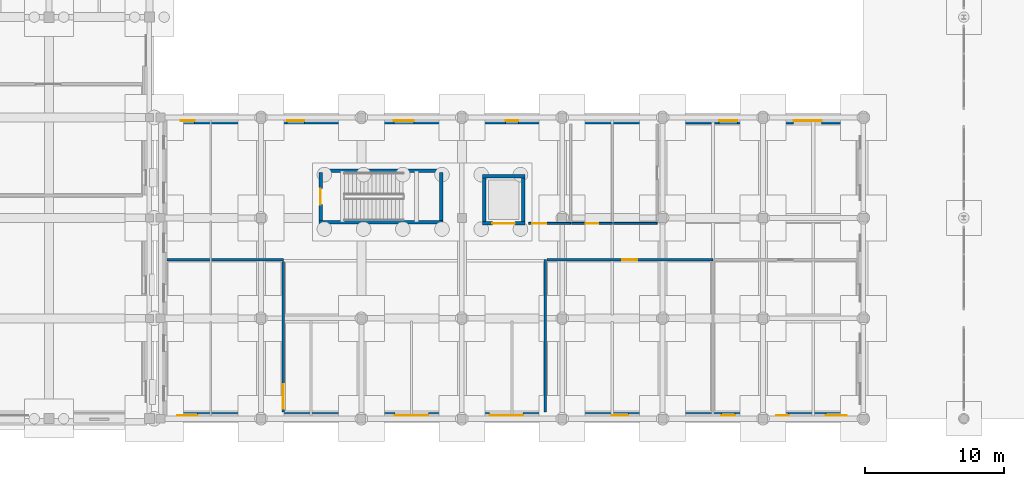
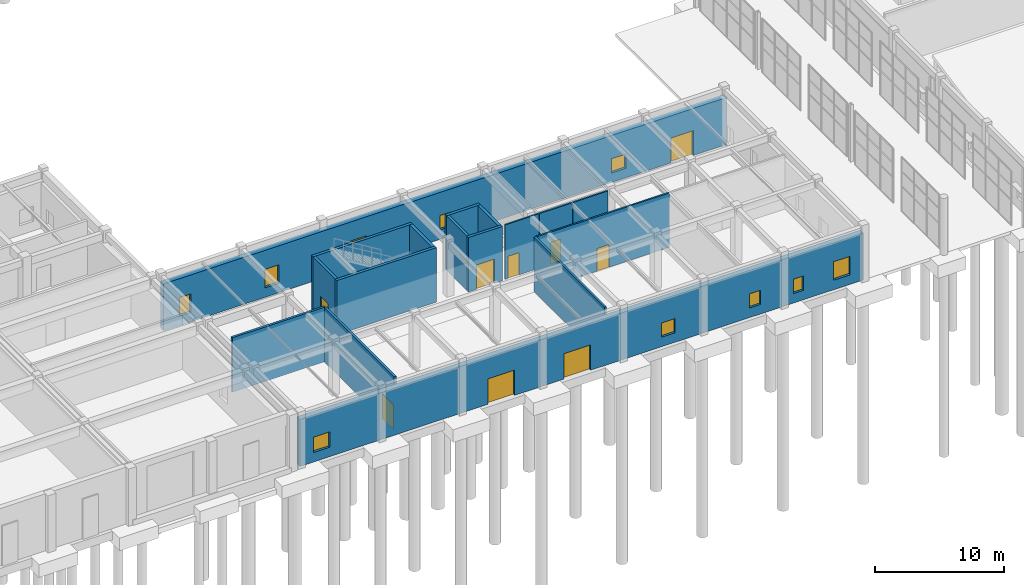
# One storey, part 69 of 91: 17 walls, 10 windows, 9 doors, 19 openings.
"""IFC4 building model written with IfcOpenShell, lengths in metres."""

from ifc_helpers import new_model, si_unit, direction, frame, frame_2d, origin, place, context, subcontext, project, spatial, rectangle, extrude, material, layer, layer_set, type_object, element, fill, save


model = new_model("IFC4")

# Units and contexts
model_context = context("Model", 3, precision=1e-05, world=origin(), true_north=direction((0.0, 1.0)))
body_context = subcontext(model_context, "Body", "Model", "MODEL_VIEW")
ifc_project = project(units=[si_unit("LENGTHUNIT", "METRE"), si_unit("AREAUNIT", "SQUARE_METRE"), si_unit("VOLUMEUNIT", "CUBIC_METRE"), si_unit("PLANEANGLEUNIT", "RADIAN"), si_unit("MASSUNIT", "GRAM", prefix="KILO")], contexts=[model_context])

# Site, building, storey
site_placement = place(None, origin())
site = spatial("IfcSite", under=ifc_project, at=site_placement, CompositionType="ELEMENT")
building_placement = place(site_placement, origin())
building = spatial("IfcBuilding", under=site, at=building_placement, Name="Bramveld Media Centre", CompositionType="ELEMENT")
storey_placement = place(building_placement, origin())
storey = spatial("IfcBuildingStorey", under=building, at=storey_placement, Name="L00", CompositionType="ELEMENT", Elevation=0.0)

# Walls
ifc_material_1 = material(Name="Concrete C40/50 stair & lift core wall", Category="concrete")
ifc_layer_1 = layer(ifc_material_1, 0.25)
ifc_layer_set_1 = layer_set([ifc_layer_1], Name="Concrete C40/50 stair & lift core wall")
wall_type_1 = type_object("IfcWallType", Name="CWALL-SHEAR-250", PredefinedType="SHEAR", material=ifc_layer_set_1)
for number, where, z_axis, x_axis, name in (
    (1, (69.75, 14.074951171875, 0.0), (0.0, 0.0, 1.0), (1.0, 0.0, 0.0), "ST-06 L00 stair core shear wall S"),
    (2, (78.64990234375, 17.77490234375, 0.0), (0.0, 0.0, 1.0), (-1.0, 0.0, 0.0), "ST-06 L00 stair core shear wall N"),
):
    element("IfcWall", number, at=place(storey_placement, frame(where, z_axis=z_axis, x_axis=x_axis)), inside=storey, type_object=wall_type_1, Name=name, PredefinedType="SHEAR", context=body_context, shape_type="SweptSolid", body=[
        extrude(rectangle(XDim=8.89990234375, YDim=0.25, at=frame_2d((4.449951171875, 0.0))), origin(), (0.0, 0.0, 1.0), 5.14990234375),
    ])

# Wall, opening, door
wall_1_placement = place(storey_placement, frame((69.875, 17.64990234375, 0.0), z_axis=(0.0, 0.0, 1.0), x_axis=(0.0, -1.0, 0.0)))
wall_1 = element("IfcWall", 3, at=wall_1_placement, inside=storey, type_object=wall_type_1, Name="ST-06 L00 stair core shear wall W", PredefinedType="SHEAR", context=body_context, shape_type="SweptSolid", body=[
    extrude(rectangle(XDim=3.449951171875, YDim=0.25, at=frame_2d((1.72509765625, 0.0))), origin(), (0.0, 0.0, 1.0), 5.14990234375),
])
opening_1_placement = place(wall_1_placement, frame((1.14990234375, 0.0, 0.0)))
opening_1 = element("IfcOpeningElement", 4, at=opening_1_placement, cuts=wall_1, Name="Opening SD-06-L00", PredefinedType="OPENING", context=body_context, shape_type="SweptSolid", body=[
    extrude(rectangle(XDim=1.14990234375, YDim=2.14990234375, at=frame_2d((0.574951171875, 1.074951171875))), frame((0.0, 0.136962890625, 0.0), z_axis=(0.0, -1.0, 0.0), x_axis=(1.0, 0.0, 0.0)), (0.0, 0.0, 1.0), 0.27392578125),
])
ifc_material_2 = material(Name="Painted galvanized steel acoustic fire door with intumescent smoke seals", Category="steel")
door_type_1 = type_object("IfcDoorType", Name="DR-ST-1150", OperationType="NOTDEFINED", PredefinedType="DOOR", material=ifc_material_2)
door_1_placement = place(opening_1_placement, origin())
door_1 = element("IfcDoor", 5, at=door_1_placement, inside=storey, type_object=door_type_1, Name="ST-06 L00 pressurized stair fire door", OperationType="SINGLE_SWING_RIGHT", OverallHeight=2.14990234375, OverallWidth=1.14990234375, PredefinedType="DOOR", context=body_context, shape_type="SweptSolid", body=[
    extrude(rectangle(XDim=1.14990234375, YDim=2.14990234375, at=frame_2d((0.574951171875, 1.074951171875))), frame((0.0, 0.02490234375, 0.0), z_axis=(0.0, -1.0, 0.0), x_axis=(1.0, 0.0, 0.0)), (0.0, 0.0, 1.0), 0.050048828125),
])
fill(opening_1, door_1)

# Wall
wall_2_placement = place(storey_placement, frame((78.52490234375, 14.199951171875, 0.0), z_axis=(0.0, 0.0, 1.0), x_axis=(0.0, 1.0, 0.0)))
element("IfcWall", 6, at=wall_2_placement, inside=storey, type_object=wall_type_1, Name="ST-06 L00 stair core shear wall E", PredefinedType="SHEAR", context=body_context, shape_type="SweptSolid", body=[
    extrude(rectangle(XDim=3.449951171875, YDim=0.25, at=frame_2d((1.72509765625, 0.0))), origin(), (0.0, 0.0, 1.0), 5.14990234375),
])

# Wall, opening, door
wall_3_placement = place(storey_placement, frame((81.47509765625, 14.0, 0.0), z_axis=(0.0, 0.0, 1.0), x_axis=(1.0, 0.0, 0.0)))
wall_3 = element("IfcWall", 7, at=wall_3_placement, inside=storey, type_object=wall_type_1, Name="GL-01 L00 lift shaft wall S", PredefinedType="SHEAR", context=body_context, shape_type="SweptSolid", body=[
    extrude(rectangle(XDim=3.0498046875, YDim=0.25, at=frame_2d((1.52490234375, 0.0))), origin(), (0.0, 0.0, 1.0), 5.14990234375),
])
opening_2_placement = place(wall_3_placement, frame((0.72509765625, 0.0, 0.0)))
opening_2 = element("IfcOpeningElement", 8, at=opening_2_placement, cuts=wall_3, Name="Opening LD-04-01-L00", PredefinedType="OPENING", context=body_context, shape_type="SweptSolid", body=[
    extrude(rectangle(XDim=1.60009765625, YDim=2.300048828125, at=frame_2d((0.800048828125, 1.14990234375))), frame((0.0, 0.136962890625, 0.0), z_axis=(0.0, -1.0, 0.0), x_axis=(1.0, 0.0, 0.0)), (0.0, 0.0, 1.0), 0.27392578125),
])
ifc_material_3 = material(Name="Brushed stainless steel automatic fire-rated sliding lift landing door", Category="steel")
door_type_2 = type_object("IfcDoorType", Name="LD-TYPE-04", OperationType="DOUBLE_DOOR_SLIDING", PredefinedType="DOOR", material=ifc_material_3)
door_2_placement = place(opening_2_placement, origin())
door_2 = element("IfcDoor", 9, at=door_2_placement, inside=storey, type_object=door_type_2, Name="GL-01 L00 sliding lift landing door", OperationType="DOUBLE_DOOR_SLIDING", OverallHeight=2.300048828125, OverallWidth=1.60009765625, PredefinedType="DOOR", context=body_context, shape_type="SweptSolid", body=[
    extrude(rectangle(XDim=1.60009765625, YDim=2.300048828125, at=frame_2d((0.800048828125, 1.14990234375))), frame((0.0, 0.02490234375, 0.0), z_axis=(0.0, -1.0, 0.0), x_axis=(1.0, 0.0, 0.0)), (0.0, 0.0, 1.0), 0.050048828125),
])
fill(opening_2, door_2)

# Walls
wall_4_placement = place(storey_placement, frame((84.52490234375, 17.39990234375, 0.0), z_axis=(0.0, 0.0, 1.0), x_axis=(-1.0, 0.0, 0.0)))
element("IfcWall", 10, at=wall_4_placement, inside=storey, type_object=wall_type_1, Name="GL-01 L00 lift shaft wall N", PredefinedType="SHEAR", context=body_context, shape_type="SweptSolid", body=[
    extrude(rectangle(XDim=3.0498046875, YDim=0.25, at=frame_2d((1.52490234375, 0.0))), origin(), (0.0, 0.0, 1.0), 5.14990234375),
])
for number, where, z_axis, x_axis, name in (
    (11, (81.60009765625, 17.39990234375, 0.0), (0.0, 0.0, 1.0), (0.0, -1.0, 0.0), "GL-01 L00 lift shaft wall W"),
    (12, (84.39990234375, 14.0, 0.0), (0.0, 0.0, 1.0), (0.0, 1.0, 0.0), "GL-01 L00 lift shaft wall E"),
):
    element("IfcWall", number, at=place(storey_placement, frame(where, z_axis=z_axis, x_axis=x_axis)), inside=storey, type_object=wall_type_1, Name=name, PredefinedType="SHEAR", context=body_context, shape_type="SweptSolid", body=[
        extrude(rectangle(XDim=3.39990234375, YDim=0.25, at=frame_2d((1.699951171875, 0.0))), origin(), (0.0, 0.0, 1.0), 5.14990234375),
    ])

# Wall, openings, doors, windows
ifc_material_4 = material(Name="Flemish red-brown clay facing brick cavity wall with concrete C35/45 inner leaf", Category="masonry")
ifc_layer_2 = layer(ifc_material_4, 0.4599609375)
ifc_layer_set_2 = layer_set([ifc_layer_2], Name="Flemish red-brown clay facing brick cavity wall with concrete C35/45 inner leaf")
wall_type_2 = type_object("IfcWallType", Name="EW-BRK-460", PredefinedType="SOLIDWALL", material=ifc_layer_set_2)
wall_5_placement = place(storey_placement, frame((108.800048828125, 0.22998046875, 0.0), z_axis=(0.0, 0.0, 1.0), x_axis=(-1.0, 0.0, 0.0)))
wall_5 = element("IfcWall", 13, at=wall_5_placement, inside=storey, type_object=wall_type_2, Name="V5 L00 S facing brick exterior wall", PredefinedType="SOLIDWALL", context=body_context, shape_type="SweptSolid", body=[
    extrude(rectangle(XDim=50.400146484375, YDim=0.4599609375, at=frame_2d((25.2001953125, 0.0))), origin(), (0.0, 0.0, 1.0), 4.445068359375),
])
opening_3_placement = place(wall_5_placement, frame((31.199951171875, 0.0, 0.0)))
opening_3 = element("IfcOpeningElement", 14, at=opening_3_placement, cuts=wall_5, Name="Opening ED-01", PredefinedType="OPENING", context=body_context, shape_type="SweptSolid", body=[
    extrude(rectangle(XDim=2.39990234375, YDim=2.39990234375, at=frame_2d((1.199951171875, 1.199951171875))), frame((0.0, 0.241943359375, 0.0), z_axis=(0.0, -1.0, 0.0), x_axis=(1.0, 0.0, 0.0)), (0.0, 0.0, 1.0), 0.48388671875),
])
opening_4_placement = place(wall_5_placement, frame((24.39990234375, 0.0, 0.0)))
opening_4 = element("IfcOpeningElement", 15, at=opening_4_placement, cuts=wall_5, Name="Opening ED-02", PredefinedType="OPENING", context=body_context, shape_type="SweptSolid", body=[
    extrude(rectangle(XDim=2.39990234375, YDim=2.39990234375, at=frame_2d((1.199951171875, 1.199951171875))), frame((0.0, 0.241943359375, 0.0), z_axis=(0.0, -1.0, 0.0), x_axis=(1.0, 0.0, 0.0)), (0.0, 0.0, 1.0), 0.48388671875),
])
opening_5_placement = place(wall_5_placement, frame((1.1884765625, 0.0, 0.89990234375)))
opening_5 = element("IfcOpeningElement", 16, at=opening_5_placement, cuts=wall_5, Name="Opening W-24", PredefinedType="OPENING", context=body_context, shape_type="SweptSolid", body=[
    extrude(rectangle(XDim=1.5, YDim=1.75, at=frame_2d((0.75, 0.875))), frame((0.0, 0.241943359375, 0.0), z_axis=(0.0, -1.0, 0.0), x_axis=(1.0, 0.0, 0.0)), (0.0, 0.0, 1.0), 0.48388671875),
])
opening_6_placement = place(wall_5_placement, frame((5.365478515625, 0.0, 0.89990234375)))
opening_6 = element("IfcOpeningElement", 17, at=opening_6_placement, cuts=wall_5, Name="Opening W-01", PredefinedType="OPENING", context=body_context, shape_type="SweptSolid", body=[
    extrude(rectangle(XDim=0.89990234375, YDim=1.35009765625, at=frame_2d((0.449951171875, 0.675048828125))), frame((0.0, 0.241943359375, 0.0), z_axis=(0.0, -1.0, 0.0), x_axis=(1.0, 0.0, 0.0)), (0.0, 0.0, 1.0), 0.48388671875),
])
opening_7_placement = place(wall_5_placement, frame((9.1923828125, 0.0, 0.89990234375)))
opening_7 = element("IfcOpeningElement", 18, at=opening_7_placement, cuts=wall_5, Name="Opening W-02", PredefinedType="OPENING", context=body_context, shape_type="SweptSolid", body=[
    extrude(rectangle(XDim=1.0, YDim=1.35009765625, at=frame_2d((0.5, 0.675048828125))), frame((0.0, 0.241943359375, 0.0), z_axis=(0.0, -1.0, 0.0), x_axis=(1.0, 0.0, 0.0)), (0.0, 0.0, 1.0), 0.48388671875),
])
opening_8_placement = place(wall_5_placement, frame((16.84619140625, 0.0, 0.89990234375)))
opening_8 = element("IfcOpeningElement", 19, at=opening_8_placement, cuts=wall_5, Name="Opening W-04", PredefinedType="OPENING", context=body_context, shape_type="SweptSolid", body=[
    extrude(rectangle(XDim=1.199951171875, YDim=1.35009765625, at=frame_2d((0.60009765625, 0.675048828125))), frame((0.0, 0.241943359375, 0.0), z_axis=(0.0, -1.0, 0.0), x_axis=(1.0, 0.0, 0.0)), (0.0, 0.0, 1.0), 0.48388671875),
])
opening_9_placement = place(wall_5_placement, frame((47.736572265625, 0.0, 0.89990234375)))
opening_9 = element("IfcOpeningElement", 20, at=opening_9_placement, cuts=wall_5, Name="Opening W-12", PredefinedType="OPENING", context=body_context, shape_type="SweptSolid", body=[
    extrude(rectangle(XDim=1.449951171875, YDim=1.449951171875, at=frame_2d((0.72509765625, 0.72509765625))), frame((0.0, 0.241943359375, 0.0), z_axis=(0.0, -1.0, 0.0), x_axis=(1.0, 0.0, 0.0)), (0.0, 0.0, 1.0), 0.48388671875),
])
ifc_material_5 = material(Name="Insulated powder-coated bronze aluminium & laminated safety glass door", Category="aluminium")
door_type_3 = type_object("IfcDoorType", Name="DR-EXT-2400", OperationType="NOTDEFINED", PredefinedType="DOOR", material=ifc_material_5)
door_3_placement = place(opening_3_placement, origin())
door_3 = element("IfcDoor", 21, at=door_3_placement, inside=storey, type_object=door_type_3, Name="Exterior door ED-01", OperationType="DOUBLE_DOOR_SINGLE_SWING", OverallHeight=2.39990234375, OverallWidth=2.39990234375, PredefinedType="DOOR", context=body_context, shape_type="SweptSolid", body=[
    extrude(rectangle(XDim=2.39990234375, YDim=2.39990234375, at=frame_2d((1.199951171875, 1.199951171875))), frame((0.0, 0.02490234375, 0.0), z_axis=(0.0, -1.0, 0.0), x_axis=(1.0, 0.0, 0.0)), (0.0, 0.0, 1.0), 0.050048828125),
])
fill(opening_3, door_3)
door_4_placement = place(opening_4_placement, origin())
door_4 = element("IfcDoor", 22, at=door_4_placement, inside=storey, type_object=door_type_3, Name="Exterior door ED-02", OperationType="DOUBLE_DOOR_SINGLE_SWING", OverallHeight=2.39990234375, OverallWidth=2.39990234375, PredefinedType="DOOR", context=body_context, shape_type="SweptSolid", body=[
    extrude(rectangle(XDim=2.39990234375, YDim=2.39990234375, at=frame_2d((1.199951171875, 1.199951171875))), frame((0.0, 0.02490234375, 0.0), z_axis=(0.0, -1.0, 0.0), x_axis=(1.0, 0.0, 0.0)), (0.0, 0.0, 1.0), 0.050048828125),
])
fill(opening_4, door_4)
ifc_material_6 = material(Name="Thermally broken anodized bronze aluminium frame with triple acoustic glazing", Category="aluminium")
window_type_1 = type_object("IfcWindowType", Name="WIN-FAC-01", PartitioningType="SINGLE_PANEL", PredefinedType="WINDOW", material=ifc_material_6)
window_1_placement = place(opening_6_placement, origin())
window_1 = element("IfcWindow", 23, at=window_1_placement, inside=storey, type_object=window_type_1, Name="V5 L00 S acoustic facade window", OverallHeight=1.35009765625, OverallWidth=0.89990234375, PartitioningType="SINGLE_PANEL", PredefinedType="WINDOW", context=body_context, shape_type="SweptSolid", body=[
    extrude(rectangle(XDim=0.89990234375, YDim=1.35009765625, at=frame_2d((0.449951171875, 0.675048828125))), frame((0.0, 0.030029296875, 0.0), z_axis=(0.0, -1.0, 0.0), x_axis=(1.0, 0.0, 0.0)), (0.0, 0.0, 1.0), 0.06005859375),
])
fill(opening_6, window_1)
ifc_material_7 = material(Name="Thermally broken anodized bronze aluminium frame with triple acoustic glazing", Category="aluminium")
window_type_2 = type_object("IfcWindowType", Name="WIN-FAC-02", PartitioningType="SINGLE_PANEL", PredefinedType="WINDOW", material=ifc_material_7)
window_2_placement = place(opening_7_placement, origin())
window_2 = element("IfcWindow", 24, at=window_2_placement, inside=storey, type_object=window_type_2, Name="V5 L00 S acoustic facade window", OverallHeight=1.35009765625, OverallWidth=1.0, PartitioningType="SINGLE_PANEL", PredefinedType="WINDOW", context=body_context, shape_type="SweptSolid", body=[
    extrude(rectangle(XDim=1.0, YDim=1.35009765625, at=frame_2d((0.5, 0.675048828125))), frame((0.0, 0.030029296875, 0.0), z_axis=(0.0, -1.0, 0.0), x_axis=(1.0, 0.0, 0.0)), (0.0, 0.0, 1.0), 0.06005859375),
])
fill(opening_7, window_2)
ifc_material_8 = material(Name="Thermally broken anodized bronze aluminium frame with triple acoustic glazing", Category="aluminium")
window_type_3 = type_object("IfcWindowType", Name="WIN-FAC-04", PartitioningType="SINGLE_PANEL", PredefinedType="WINDOW", material=ifc_material_8)
window_3_placement = place(opening_8_placement, origin())
window_3 = element("IfcWindow", 25, at=window_3_placement, inside=storey, type_object=window_type_3, Name="V5 L00 S acoustic facade window", OverallHeight=1.35009765625, OverallWidth=1.199951171875, PartitioningType="SINGLE_PANEL", PredefinedType="WINDOW", context=body_context, shape_type="SweptSolid", body=[
    extrude(rectangle(XDim=1.199951171875, YDim=1.35009765625, at=frame_2d((0.60009765625, 0.675048828125))), frame((0.0, 0.030029296875, 0.0), z_axis=(0.0, -1.0, 0.0), x_axis=(1.0, 0.0, 0.0)), (0.0, 0.0, 1.0), 0.06005859375),
])
fill(opening_8, window_3)
ifc_material_9 = material(Name="Thermally broken anodized bronze aluminium frame with triple acoustic glazing", Category="aluminium")
window_type_4 = type_object("IfcWindowType", Name="WIN-FAC-12", PartitioningType="SINGLE_PANEL", PredefinedType="WINDOW", material=ifc_material_9)
window_4_placement = place(opening_9_placement, origin())
window_4 = element("IfcWindow", 26, at=window_4_placement, inside=storey, type_object=window_type_4, Name="V5 L00 S acoustic facade window", OverallHeight=1.449951171875, OverallWidth=1.449951171875, PartitioningType="SINGLE_PANEL", PredefinedType="WINDOW", context=body_context, shape_type="SweptSolid", body=[
    extrude(rectangle(XDim=1.449951171875, YDim=1.449951171875, at=frame_2d((0.72509765625, 0.72509765625))), frame((0.0, 0.030029296875, 0.0), z_axis=(0.0, -1.0, 0.0), x_axis=(1.0, 0.0, 0.0)), (0.0, 0.0, 1.0), 0.06005859375),
])
fill(opening_9, window_4)
ifc_material_10 = material(Name="Thermally broken anodized bronze aluminium frame with triple acoustic glazing", Category="aluminium")
window_type_5 = type_object("IfcWindowType", Name="WIN-FAC-24", PartitioningType="SINGLE_PANEL", PredefinedType="WINDOW", material=ifc_material_10)
window_5_placement = place(opening_5_placement, origin())
window_5 = element("IfcWindow", 27, at=window_5_placement, inside=storey, type_object=window_type_5, Name="V5 L00 S acoustic facade window", OverallHeight=1.75, OverallWidth=1.5, PartitioningType="SINGLE_PANEL", PredefinedType="WINDOW", context=body_context, shape_type="SweptSolid", body=[
    extrude(rectangle(XDim=1.5, YDim=1.75, at=frame_2d((0.75, 0.875))), frame((0.0, 0.030029296875, 0.0), z_axis=(0.0, -1.0, 0.0), x_axis=(1.0, 0.0, 0.0)), (0.0, 0.0, 1.0), 0.06005859375),
])
fill(opening_5, window_5)

# Wall, openings, door, windows
wall_6_placement = place(storey_placement, frame((58.39990234375, 21.3701171875, 0.0), z_axis=(0.0, 0.0, 1.0), x_axis=(1.0, 0.0, 0.0)))
wall_6 = element("IfcWall", 28, at=wall_6_placement, inside=storey, type_object=wall_type_2, Name="V5 L00 N facing brick exterior wall", PredefinedType="SOLIDWALL", context=body_context, shape_type="SweptSolid", body=[
    extrude(rectangle(XDim=50.400146484375, YDim=0.4599609375, at=frame_2d((25.2001953125, 0.0))), origin(), (0.0, 0.0, 1.0), 4.445068359375),
])
opening_10_placement = place(wall_6_placement, frame((45.39990234375, 0.0, 0.0)))
opening_10 = element("IfcOpeningElement", 29, at=opening_10_placement, cuts=wall_6, Name="Opening ED-03", PredefinedType="OPENING", context=body_context, shape_type="SweptSolid", body=[
    extrude(rectangle(XDim=2.0, YDim=2.35009765625, at=frame_2d((1.0, 1.175048828125))), frame((0.0, 0.241943359375, 0.0), z_axis=(0.0, -1.0, 0.0), x_axis=(1.0, 0.0, 0.0)), (0.0, 0.0, 1.0), 0.48388671875),
])
opening_11_placement = place(wall_6_placement, frame((1.4384765625, 0.0, 0.89990234375)))
opening_11 = element("IfcOpeningElement", 30, at=opening_11_placement, cuts=wall_6, Name="Opening W-19", PredefinedType="OPENING", context=body_context, shape_type="SweptSolid", body=[
    extrude(rectangle(XDim=1.0, YDim=1.75, at=frame_2d((0.5, 0.875))), frame((0.0, 0.241943359375, 0.0), z_axis=(0.0, -1.0, 0.0), x_axis=(1.0, 0.0, 0.0)), (0.0, 0.0, 1.0), 0.48388671875),
])
opening_12_placement = place(wall_6_placement, frame((9.072265625, 0.0, 0.89990234375)))
opening_12 = element("IfcOpeningElement", 31, at=opening_12_placement, cuts=wall_6, Name="Opening W-21", PredefinedType="OPENING", context=body_context, shape_type="SweptSolid", body=[
    extrude(rectangle(XDim=1.239990234375, YDim=1.75, at=frame_2d((0.6201171875, 0.875))), frame((0.0, 0.241943359375, 0.0), z_axis=(0.0, -1.0, 0.0), x_axis=(1.0, 0.0, 0.0)), (0.0, 0.0, 1.0), 0.48388671875),
])
opening_13_placement = place(wall_6_placement, frame((16.726318359375, 0.0, 0.89990234375)))
opening_13 = element("IfcOpeningElement", 32, at=opening_13_placement, cuts=wall_6, Name="Opening W-23", PredefinedType="OPENING", context=body_context, shape_type="SweptSolid", body=[
    extrude(rectangle(XDim=1.43994140625, YDim=1.75, at=frame_2d((0.719970703125, 0.875))), frame((0.0, 0.241943359375, 0.0), z_axis=(0.0, -1.0, 0.0), x_axis=(1.0, 0.0, 0.0)), (0.0, 0.0, 1.0), 0.48388671875),
])
opening_14_placement = place(wall_6_placement, frame((24.75, 0.0, 0.89990234375)))
opening_14 = element("IfcOpeningElement", 33, at=opening_14_placement, cuts=wall_6, Name="Opening W-01", PredefinedType="OPENING", context=body_context, shape_type="SweptSolid", body=[
    extrude(rectangle(XDim=0.89990234375, YDim=1.35009765625, at=frame_2d((0.449951171875, 0.675048828125))), frame((0.0, 0.241943359375, 0.0), z_axis=(0.0, -1.0, 0.0), x_axis=(1.0, 0.0, 0.0)), (0.0, 0.0, 1.0), 0.48388671875),
])
opening_15_placement = place(wall_6_placement, frame((40.0576171875, 0.0, 0.89990234375)))
opening_15 = element("IfcOpeningElement", 34, at=opening_15_placement, cuts=wall_6, Name="Opening W-05", PredefinedType="OPENING", context=body_context, shape_type="SweptSolid", body=[
    extrude(rectangle(XDim=1.300048828125, YDim=1.35009765625, at=frame_2d((0.64990234375, 0.675048828125))), frame((0.0, 0.241943359375, 0.0), z_axis=(0.0, -1.0, 0.0), x_axis=(1.0, 0.0, 0.0)), (0.0, 0.0, 1.0), 0.48388671875),
])
ifc_material_11 = material(Name="Insulated powder-coated bronze aluminium & laminated safety glass door", Category="aluminium")
door_type_4 = type_object("IfcDoorType", Name="DR-EXT-2000", OperationType="NOTDEFINED", PredefinedType="DOOR", material=ifc_material_11)
door_5_placement = place(opening_10_placement, origin())
door_5 = element("IfcDoor", 35, at=door_5_placement, inside=storey, type_object=door_type_4, Name="Exterior door ED-03", OperationType="DOUBLE_DOOR_SINGLE_SWING", OverallHeight=2.35009765625, OverallWidth=2.0, PredefinedType="DOOR", context=body_context, shape_type="SweptSolid", body=[
    extrude(rectangle(XDim=2.0, YDim=2.35009765625, at=frame_2d((1.0, 1.175048828125))), frame((0.0, 0.02490234375, 0.0), z_axis=(0.0, -1.0, 0.0), x_axis=(1.0, 0.0, 0.0)), (0.0, 0.0, 1.0), 0.050048828125),
])
fill(opening_10, door_5)
window_6_placement = place(opening_14_placement, origin())
window_6 = element("IfcWindow", 36, at=window_6_placement, inside=storey, type_object=window_type_1, Name="V5 L00 N acoustic facade window", OverallHeight=1.35009765625, OverallWidth=0.89990234375, PartitioningType="SINGLE_PANEL", PredefinedType="WINDOW", context=body_context, shape_type="SweptSolid", body=[
    extrude(rectangle(XDim=0.89990234375, YDim=1.35009765625, at=frame_2d((0.449951171875, 0.675048828125))), frame((0.0, 0.030029296875, 0.0), z_axis=(0.0, -1.0, 0.0), x_axis=(1.0, 0.0, 0.0)), (0.0, 0.0, 1.0), 0.06005859375),
])
fill(opening_14, window_6)
ifc_material_12 = material(Name="Thermally broken anodized bronze aluminium frame with triple acoustic glazing", Category="aluminium")
window_type_6 = type_object("IfcWindowType", Name="WIN-FAC-05", PartitioningType="SINGLE_PANEL", PredefinedType="WINDOW", material=ifc_material_12)
window_7_placement = place(opening_15_placement, origin())
window_7 = element("IfcWindow", 37, at=window_7_placement, inside=storey, type_object=window_type_6, Name="V5 L00 N acoustic facade window", OverallHeight=1.35009765625, OverallWidth=1.300048828125, PartitioningType="SINGLE_PANEL", PredefinedType="WINDOW", context=body_context, shape_type="SweptSolid", body=[
    extrude(rectangle(XDim=1.300048828125, YDim=1.35009765625, at=frame_2d((0.64990234375, 0.675048828125))), frame((0.0, 0.030029296875, 0.0), z_axis=(0.0, -1.0, 0.0), x_axis=(1.0, 0.0, 0.0)), (0.0, 0.0, 1.0), 0.06005859375),
])
fill(opening_15, window_7)
ifc_material_13 = material(Name="Thermally broken anodized bronze aluminium frame with triple acoustic glazing", Category="aluminium")
window_type_7 = type_object("IfcWindowType", Name="WIN-FAC-19", PartitioningType="SINGLE_PANEL", PredefinedType="WINDOW", material=ifc_material_13)
window_8_placement = place(opening_11_placement, origin())
window_8 = element("IfcWindow", 38, at=window_8_placement, inside=storey, type_object=window_type_7, Name="V5 L00 N acoustic facade window", OverallHeight=1.75, OverallWidth=1.0, PartitioningType="SINGLE_PANEL", PredefinedType="WINDOW", context=body_context, shape_type="SweptSolid", body=[
    extrude(rectangle(XDim=1.0, YDim=1.75, at=frame_2d((0.5, 0.875))), frame((0.0, 0.030029296875, 0.0), z_axis=(0.0, -1.0, 0.0), x_axis=(1.0, 0.0, 0.0)), (0.0, 0.0, 1.0), 0.06005859375),
])
fill(opening_11, window_8)
ifc_material_14 = material(Name="Thermally broken anodized bronze aluminium frame with triple acoustic glazing", Category="aluminium")
window_type_8 = type_object("IfcWindowType", Name="WIN-FAC-21", PartitioningType="SINGLE_PANEL", PredefinedType="WINDOW", material=ifc_material_14)
window_9_placement = place(opening_12_placement, origin())
window_9 = element("IfcWindow", 39, at=window_9_placement, inside=storey, type_object=window_type_8, Name="V5 L00 N acoustic facade window", OverallHeight=1.75, OverallWidth=1.239990234375, PartitioningType="SINGLE_PANEL", PredefinedType="WINDOW", context=body_context, shape_type="SweptSolid", body=[
    extrude(rectangle(XDim=1.239990234375, YDim=1.75, at=frame_2d((0.6201171875, 0.875))), frame((0.0, 0.030029296875, 0.0), z_axis=(0.0, -1.0, 0.0), x_axis=(1.0, 0.0, 0.0)), (0.0, 0.0, 1.0), 0.06005859375),
])
fill(opening_12, window_9)
ifc_material_15 = material(Name="Thermally broken anodized bronze aluminium frame with triple acoustic glazing", Category="aluminium")
window_type_9 = type_object("IfcWindowType", Name="WIN-FAC-23", PartitioningType="SINGLE_PANEL", PredefinedType="WINDOW", material=ifc_material_15)
window_10_placement = place(opening_13_placement, origin())
window_10 = element("IfcWindow", 40, at=window_10_placement, inside=storey, type_object=window_type_9, Name="V5 L00 N acoustic facade window", OverallHeight=1.75, OverallWidth=1.43994140625, PartitioningType="SINGLE_PANEL", PredefinedType="WINDOW", context=body_context, shape_type="SweptSolid", body=[
    extrude(rectangle(XDim=1.43994140625, YDim=1.75, at=frame_2d((0.719970703125, 0.875))), frame((0.0, 0.030029296875, 0.0), z_axis=(0.0, -1.0, 0.0), x_axis=(1.0, 0.0, 0.0)), (0.0, 0.0, 1.0), 0.06005859375),
])
fill(opening_13, window_10)

# Wall
ifc_material_16 = material(Name="Acoustic calcium-silicate & mineral-wool compartment partition", Category="masonry")
ifc_layer_3 = layer(ifc_material_16, 0.199951171875)
ifc_layer_set_3 = layer_set([ifc_layer_3], Name="Acoustic calcium-silicate & mineral-wool compartment partition")
wall_type_3 = type_object("IfcWallType", Name="IW-ACOU-200", PredefinedType="PARTITIONING", material=ifc_layer_set_3)
wall_7_placement = place(storey_placement, frame((58.8701171875, 11.39990234375, 0.0), z_axis=(0.0, 0.0, 1.0), x_axis=(1.0, 0.0, 0.0)))
element("IfcWall", 41, at=wall_7_placement, inside=storey, type_object=wall_type_3, Name="Fire Command Centre & Security Desk partition wall", PredefinedType="PARTITIONING", context=body_context, shape_type="SweptSolid", body=[
    extrude(rectangle(XDim=8.329833984375, YDim=0.199951171875, at=frame_2d((4.1650390625, 0.0))), origin(), (0.0, 0.0, 1.0), 5.14990234375),
])

# Wall, opening, door
wall_8_placement = place(storey_placement, frame((67.199951171875, 0.469970703125, 0.0), z_axis=(0.0, 0.0, 1.0), x_axis=(0.0, 1.0, 0.0)))
wall_8 = element("IfcWall", 42, at=wall_8_placement, inside=storey, type_object=wall_type_3, Name="Fire Command Centre & Security Desk partition wall", PredefinedType="PARTITIONING", context=body_context, shape_type="SweptSolid", body=[
    extrude(rectangle(XDim=10.820068359375, YDim=0.199951171875, at=frame_2d((5.41015625, 0.0))), origin(), (0.0, 0.0, 1.0), 5.14990234375),
])
opening_16_placement = place(wall_8_placement, frame((0.25, 0.0, 0.0)))
opening_16 = element("IfcOpeningElement", 43, at=opening_16_placement, cuts=wall_8, Name="Opening D-00-031", PredefinedType="OPENING", context=body_context, shape_type="SweptSolid", body=[
    extrude(rectangle(XDim=1.760009765625, YDim=2.300048828125, at=frame_2d((0.8798828125, 1.14990234375))), frame((0.0, 0.11181640625, 0.0), z_axis=(0.0, -1.0, 0.0), x_axis=(1.0, 0.0, 0.0)), (0.0, 0.0, 1.0), 0.223876953125),
])
ifc_material_17 = material(Name="Fire-rated acoustic timber & steel composite door", Category="steel")
door_type_5 = type_object("IfcDoorType", Name="DR-HALL-1760", OperationType="NOTDEFINED", PredefinedType="DOOR", material=ifc_material_17)
door_6_placement = place(opening_16_placement, origin())
door_6 = element("IfcDoor", 44, at=door_6_placement, inside=storey, type_object=door_type_5, Name="Fire Command Centre & Security Desk entrance door", OperationType="DOUBLE_DOOR_SINGLE_SWING", OverallHeight=2.300048828125, OverallWidth=1.760009765625, PredefinedType="DOOR", context=body_context, shape_type="SweptSolid", body=[
    extrude(rectangle(XDim=1.760009765625, YDim=2.300048828125, at=frame_2d((0.8798828125, 1.14990234375))), frame((0.0, 0.02490234375, 0.0), z_axis=(0.0, -1.0, 0.0), x_axis=(1.0, 0.0, 0.0)), (0.0, 0.0, 1.0), 0.050048828125),
])
fill(opening_16, door_6)

# Wall
ifc_material_18 = material(Name="Fire-rated twin-frame gypsum corridor wall", Category="gypsum")
ifc_layer_4 = layer(ifc_material_18, 0.179931640625)
ifc_layer_set_4 = layer_set([ifc_layer_4], Name="Fire-rated twin-frame gypsum corridor wall")
wall_type_4 = type_object("IfcWallType", Name="IW-FIRE-180", PredefinedType="PARTITIONING", material=ifc_layer_set_4)
wall_9_placement = place(storey_placement, frame((86.0, 0.469970703125, 0.0), z_axis=(0.0, 0.0, 1.0), x_axis=(0.0, 1.0, 0.0)))
element("IfcWall", 45, at=wall_9_placement, inside=storey, type_object=wall_type_4, Name="Main Public Entrance Circulation Lobby partition wall", PredefinedType="PARTITIONING", context=body_context, shape_type="SweptSolid", body=[
    extrude(rectangle(XDim=10.929931640625, YDim=0.179931640625, at=frame_2d((5.46484375, 0.0))), origin(), (0.0, 0.0, 1.0), 5.14990234375),
])

# Wall, opening, door
ifc_material_19 = material(Name="Insulated metal-stud gypsum room partition", Category="gypsum")
ifc_layer_5 = layer(ifc_material_19, 0.14990234375)
ifc_layer_set_5 = layer_set([ifc_layer_5], Name="Insulated metal-stud gypsum room partition")
wall_type_5 = type_object("IfcWallType", Name="IW-PART-150", PredefinedType="PARTITIONING", material=ifc_layer_set_5)
wall_10_placement = place(storey_placement, frame((86.10009765625, 11.39990234375, 0.0), z_axis=(0.0, 0.0, 1.0), x_axis=(1.0, 0.0, 0.0)))
wall_10 = element("IfcWall", 46, at=wall_10_placement, inside=storey, type_object=wall_type_5, Name="Cinema Bookshop & Media Store partition wall", PredefinedType="PARTITIONING", context=body_context, shape_type="SweptSolid", body=[
    extrude(rectangle(XDim=11.89990234375, YDim=0.14990234375, at=frame_2d((5.949951171875, 0.0))), origin(), (0.0, 0.0, 1.0), 5.14990234375),
])
opening_17_placement = place(wall_10_placement, frame((5.409912109375, 0.0, 0.0)))
opening_17 = element("IfcOpeningElement", 47, at=opening_17_placement, cuts=wall_10, Name="Opening D-00-032", PredefinedType="OPENING", context=body_context, shape_type="SweptSolid", body=[
    extrude(rectangle(XDim=1.080078125, YDim=2.14990234375, at=frame_2d((0.5400390625, 1.074951171875))), frame((0.0, 0.0869140625, 0.0), z_axis=(0.0, -1.0, 0.0), x_axis=(1.0, 0.0, 0.0)), (0.0, 0.0, 1.0), 0.173828125),
])
ifc_material_20 = material(Name="Solid-core European oak acoustic timber leaf in steel frame", Category="steel")
door_type_6 = type_object("IfcDoorType", Name="DR-RM-1080", OperationType="NOTDEFINED", PredefinedType="DOOR", material=ifc_material_20)
door_7_placement = place(opening_17_placement, origin())
door_7 = element("IfcDoor", 48, at=door_7_placement, inside=storey, type_object=door_type_6, Name="Cinema Bookshop & Media Store entrance door", OperationType="SINGLE_SWING_RIGHT", OverallHeight=2.14990234375, OverallWidth=1.080078125, PredefinedType="DOOR", context=body_context, shape_type="SweptSolid", body=[
    extrude(rectangle(XDim=1.080078125, YDim=2.14990234375, at=frame_2d((0.5400390625, 1.074951171875))), frame((0.0, 0.02490234375, 0.0), z_axis=(0.0, -1.0, 0.0), x_axis=(1.0, 0.0, 0.0)), (0.0, 0.0, 1.0), 0.050048828125),
])
fill(opening_17, door_7)

ifc_material_21 = material(Name="Moisture-resistant cement-board sanitary partition", Category="gypsum")
ifc_layer_6 = layer(ifc_material_21, 0.139892578125)
ifc_layer_set_6 = layer_set([ifc_layer_6], Name="Moisture-resistant cement-board sanitary partition")
wall_type_6 = type_object("IfcWallType", Name="IW-WET-140", PredefinedType="PARTITIONING", material=ifc_layer_set_6)
wall_11_placement = place(storey_placement, frame((84.800048828125, 14.0, 0.0), z_axis=(0.0, 0.0, 1.0), x_axis=(1.0, 0.0, 0.0)))
wall_11 = element("IfcWall", 49, at=wall_11_placement, inside=storey, type_object=wall_type_6, Name="Accessible WC partition wall", PredefinedType="PARTITIONING", context=body_context, shape_type="SweptSolid", body=[
    extrude(rectangle(XDim=3.0, YDim=0.139892578125, at=frame_2d((1.5, 0.0))), origin(), (0.0, 0.0, 1.0), 5.14990234375),
])
opening_18_placement = place(wall_11_placement, frame((0.25, 0.0, 0.0)))
opening_18 = element("IfcOpeningElement", 50, at=opening_18_placement, cuts=wall_11, Name="Opening D-00-034", PredefinedType="OPENING", context=body_context, shape_type="SweptSolid", body=[
    extrude(rectangle(XDim=1.0, YDim=2.10009765625, at=frame_2d((0.5, 1.050048828125))), frame((0.0, 0.08203125, 0.0), z_axis=(0.0, -1.0, 0.0), x_axis=(1.0, 0.0, 0.0)), (0.0, 0.0, 1.0), 0.163818359375),
])
ifc_material_22 = material(Name="Solid-core European oak acoustic timber leaf in steel frame", Category="steel")
door_type_7 = type_object("IfcDoorType", Name="DR-WC-PMR-1000", OperationType="NOTDEFINED", PredefinedType="DOOR", material=ifc_material_22)
door_8_placement = place(opening_18_placement, origin())
door_8 = element("IfcDoor", 51, at=door_8_placement, inside=storey, type_object=door_type_7, Name="Accessible WC entrance door", OperationType="SINGLE_SWING_RIGHT", OverallHeight=2.10009765625, OverallWidth=1.0, PredefinedType="DOOR", context=body_context, shape_type="SweptSolid", body=[
    extrude(rectangle(XDim=1.0, YDim=2.10009765625, at=frame_2d((0.5, 1.050048828125))), frame((0.0, 0.02490234375, 0.0), z_axis=(0.0, -1.0, 0.0), x_axis=(1.0, 0.0, 0.0)), (0.0, 0.0, 1.0), 0.050048828125),
])
fill(opening_18, door_8)

wall_12_placement = place(storey_placement, frame((87.8798828125, 14.0, 0.0), z_axis=(0.0, 0.0, 1.0), x_axis=(1.0, 0.0, 0.0)))
wall_12 = element("IfcWall", 52, at=wall_12_placement, inside=storey, type_object=wall_type_6, Name="Male WC partition wall", PredefinedType="PARTITIONING", context=body_context, shape_type="SweptSolid", body=[
    extrude(rectangle(XDim=2.920166015625, YDim=0.139892578125, at=frame_2d((1.4599609375, 0.0))), origin(), (0.0, 0.0, 1.0), 5.14990234375),
])
opening_19_placement = place(wall_12_placement, frame((1.0048828125, 0.0, 0.0)))
opening_19 = element("IfcOpeningElement", 53, at=opening_19_placement, cuts=wall_12, Name="Opening D-00-035", PredefinedType="OPENING", context=body_context, shape_type="SweptSolid", body=[
    extrude(rectangle(XDim=0.909912109375, YDim=2.06005859375, at=frame_2d((0.455078125, 1.030029296875))), frame((0.0, 0.08203125, 0.0), z_axis=(0.0, -1.0, 0.0), x_axis=(1.0, 0.0, 0.0)), (0.0, 0.0, 1.0), 0.163818359375),
])
ifc_material_23 = material(Name="Solid-core European oak acoustic timber leaf in steel frame", Category="steel")
door_type_8 = type_object("IfcDoorType", Name="DR-WC-0910", OperationType="NOTDEFINED", PredefinedType="DOOR", material=ifc_material_23)
door_9_placement = place(opening_19_placement, origin())
door_9 = element("IfcDoor", 54, at=door_9_placement, inside=storey, type_object=door_type_8, Name="Male WC entrance door", OperationType="SINGLE_SWING_LEFT", OverallHeight=2.06005859375, OverallWidth=0.909912109375, PredefinedType="DOOR", context=body_context, shape_type="SweptSolid", body=[
    extrude(rectangle(XDim=0.909912109375, YDim=2.06005859375, at=frame_2d((0.455078125, 1.030029296875))), frame((0.0, 0.02490234375, 0.0), z_axis=(0.0, -1.0, 0.0), x_axis=(1.0, 0.0, 0.0)), (0.0, 0.0, 1.0), 0.050048828125),
])
fill(opening_19, door_9)

# Wall
wall_13_placement = place(storey_placement, frame((90.8798828125, 14.0, 0.0), z_axis=(0.0, 0.0, 1.0), x_axis=(1.0, 0.0, 0.0)))
element("IfcWall", 55, at=wall_13_placement, inside=storey, type_object=wall_type_6, Name="Female WC partition wall", PredefinedType="PARTITIONING", context=body_context, shape_type="SweptSolid", body=[
    extrude(rectangle(XDim=3.1201171875, YDim=0.139892578125, at=frame_2d((1.56005859375, 0.0))), origin(), (0.0, 0.0, 1.0), 5.14990234375),
])

save(model, "model.ifc")
